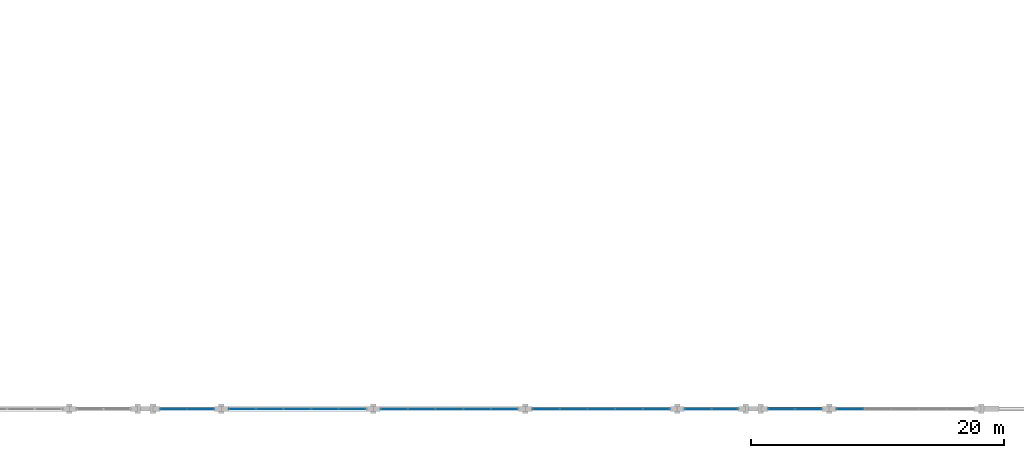
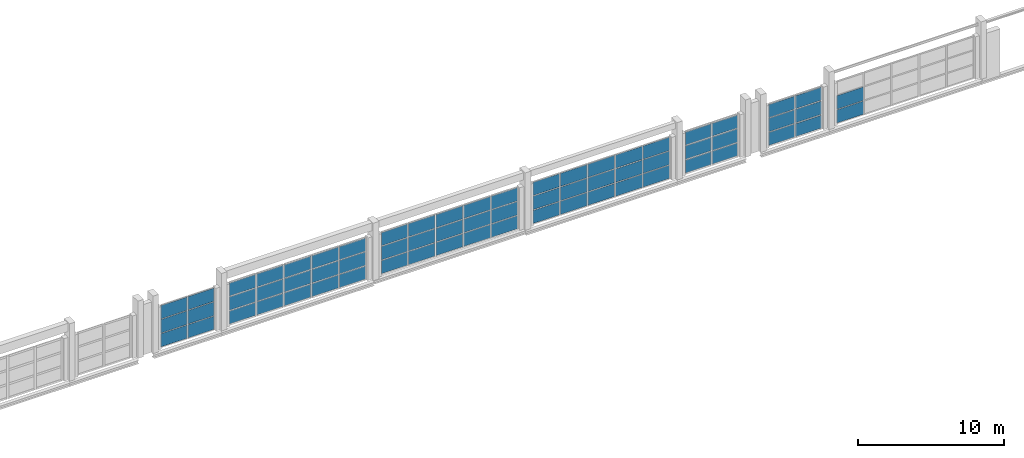
# One storey, part 123 of 147: 65 plates, 7 elements without a shape of their own.
"""IFC4 building model written with IfcOpenShell, lengths in metres."""

import ifcopenshell
import ifcopenshell.guid

model = None  # the IFC model being written
_history = None  # IfcOwnerHistory: only IFC2X3 demands one
_inside = {}  # id of a spatial element -> (the spatial element, [elements in it])
_under = {}  # id of a project, library or spatial element -> (it, [spatial elements below it])
_declared = {}  # id of a project -> (the project, [libraries it declares])
_typed = {}  # id of a type object -> (the type object, [elements of that type])
_made_of = {}  # id of a material, layer set ... -> (it, [elements and type objects made of it])


def new_model(schema):
    """Start an empty IFC model of exactly this schema.

    Asked for "IFC4X3", IfcOpenShell would pick the latest addendum, in which some entities
    have other attributes; the version numbers below select the first issue.
    IFC2X3 requires an IfcOwnerHistory on every rooted entity: one is made here for all.
    """
    global model, _history
    if schema == "IFC4X3":
        model = ifcopenshell.file(schema_version=(4, 3, 0, 0))
    else:
        model = ifcopenshell.file(schema=schema)
    _inside.clear()
    _under.clear()
    _declared.clear()
    _typed.clear()
    _made_of.clear()
    _history = None
    if model.schema == "IFC2X3":
        org = make("IfcOrganization", Name="unknown")
        user = make(
            "IfcPersonAndOrganization",
            ThePerson=make("IfcPerson", FamilyName="unknown"),
            TheOrganization=org,
        )
        app = make(
            "IfcApplication",
            ApplicationDeveloper=org,
            Version="unknown",
            ApplicationFullName="unknown",
            ApplicationIdentifier="unknown",
        )
        _history = make(
            "IfcOwnerHistory",
            OwningUser=user,
            OwningApplication=app,
            ChangeAction="ADDED",
            CreationDate=0,
        )
    return model


def make(cls, **values):
    """One entity of the class cls with the attributes given. An attribute that is None is left unset."""
    return model.create_entity(
        cls, **{name: value for name, value in values.items() if value is not None}
    )


def rooted(cls, **values):
    """An entity with a GlobalId (a new one), such as an element, a storey or a relation."""
    return make(cls, GlobalId=ifcopenshell.guid.new(), OwnerHistory=_history, **values)


def si_unit(unit_type, name, prefix=None):
    """IfcSIUnit, for example si_unit("LENGTHUNIT", "METRE", prefix="MILLI")."""
    return make("IfcSIUnit", UnitType=unit_type, Prefix=prefix, Name=name)


def assignment(units):
    """IfcUnitAssignment: the units of a project."""
    return None if units is None else make("IfcUnitAssignment", Units=units)


def point(xyz):
    """IfcCartesianPoint."""
    return None if xyz is None else make("IfcCartesianPoint", Coordinates=xyz)


def direction(xyz):
    """IfcDirection."""
    return None if xyz is None else make("IfcDirection", DirectionRatios=xyz)


def frame(location, z_axis=None, x_axis=None):
    """IfcAxis2Placement3D, a coordinate frame: its origin and axes. An axis left out is left unset."""
    return make(
        "IfcAxis2Placement3D",
        Location=point(location),
        Axis=direction(z_axis),
        RefDirection=direction(x_axis),
    )


def frame_2d(location, x_axis=None):
    """IfcAxis2Placement2D, a coordinate frame in the plane: its origin and x axis."""
    return make(
        "IfcAxis2Placement2D", Location=point(location), RefDirection=direction(x_axis)
    )


def origin():
    """The frame at (0, 0, 0) with its axes left unset."""
    return frame((0.0, 0.0, 0.0))


def origin_2d():
    """The frame at (0, 0) in the plane with its x axis left unset."""
    return frame_2d((0.0, 0.0))


def place(relative_to, where):
    """IfcLocalPlacement: puts the frame where relative to a parent placement (None: the world)."""
    return make(
        "IfcLocalPlacement", PlacementRelTo=relative_to, RelativePlacement=where
    )


def context(
    kind, dimensions, precision=None, world=None, true_north=None, identifier=None
):
    """IfcGeometricRepresentationContext, for example the 3D "Model" context."""
    return make(
        "IfcGeometricRepresentationContext",
        ContextIdentifier=identifier,
        ContextType=kind,
        CoordinateSpaceDimension=dimensions,
        Precision=precision,
        WorldCoordinateSystem=world,
        TrueNorth=true_north,
    )


def subcontext(parent, identifier, kind, view, scale=None):
    """IfcGeometricRepresentationSubContext, for example "Body" below "Model"."""
    return make(
        "IfcGeometricRepresentationSubContext",
        ContextIdentifier=identifier,
        ContextType=kind,
        ParentContext=parent,
        TargetScale=scale,
        TargetView=view,
    )


def project(units=None, contexts=None):
    """IfcProject with its units and contexts."""
    return rooted(
        "IfcProject",
        Name="project",
        RepresentationContexts=contexts,
        UnitsInContext=assignment(units),
    )


def spatial(cls, under=None, at=None, **own):
    """A site, building, storey or space (cls), placed at a placement, below another one or the project."""
    s = rooted(cls, ObjectPlacement=at, **own)
    if under is not None:
        _under.setdefault(under.id(), (under, []))[1].append(s)
    return s


def profile(cls, at=None, kind="AREA", **sizes):
    """A parametric profile (cls). Its sizes go by their IFC names, for example OverallWidth=200.0."""
    return make(cls, ProfileType=kind, Position=at, **sizes)


def rectangle(**sizes):
    """IfcRectangleProfileDef."""
    return profile("IfcRectangleProfileDef", **sizes)


def extrude(swept, where, along, depth):
    """IfcExtrudedAreaSolid: the profile swept, set in the frame where, extruded along a direction by depth."""
    return make(
        "IfcExtrudedAreaSolid",
        SweptArea=swept,
        Position=where,
        ExtrudedDirection=direction(along),
        Depth=depth,
    )


def shape(context_of_items, identifier, shape_type, items):
    """IfcShapeRepresentation: the items that make up one representation, for example the "Body"."""
    return make(
        "IfcShapeRepresentation",
        ContextOfItems=context_of_items,
        RepresentationIdentifier=identifier,
        RepresentationType=shape_type,
        Items=items,
    )


def material(Name=None, Category=None):
    """IfcMaterial."""
    return make("IfcMaterial", Name=Name, Category=Category)


def layer(
    of_material, thickness, ventilated=None, Name=None, Category=None, Priority=None
):
    """IfcMaterialLayer: one layer of a wall or slab, of a material (None: an air gap)."""
    return make(
        "IfcMaterialLayer",
        Material=of_material,
        LayerThickness=thickness,
        IsVentilated=ventilated,
        Name=Name,
        Category=Category,
        Priority=Priority,
    )


def layer_set(layers, Name=None):
    """IfcMaterialLayerSet."""
    return make("IfcMaterialLayerSet", MaterialLayers=layers, LayerSetName=Name)


def made_of(thing, what):
    """Note that an element or type object is made of a material, layer set ...; save() writes the relation."""
    if what is not None:
        _made_of.setdefault(what.id(), (what, []))[1].append(thing)
    return thing


def type_object(cls, material=None, **own):
    """A type object (cls), such as IfcWallType, which elements share."""
    return made_of(rooted(cls, **own), material)


def element(
    cls,
    number,
    at=None,
    inside=None,
    cuts=None,
    type_object=None,
    material=None,
    context=None,
    identifier="Body",
    shape_type=None,
    held_by="IfcProductDefinitionShape",
    body=None,
    shapes=None,
    **own,
):
    """One element of the class cls, such as IfcWall. Its Tag is "e" and its number.

    at: its placement. inside: the storey or other place that contains it. cuts: it is an
    opening in that element (IfcRelVoidsElement). A single representation is given by context,
    identifier, shape_type and body (its items); several are given by shapes. held_by: the class
    of the entity that holds the representations. save() writes the other relations.
    """
    e = rooted(cls, Tag="e%d" % number, ObjectPlacement=at, **own)
    if body is not None:
        shapes = [shape(context, identifier, shape_type, body)]
    if shapes is not None:
        e.Representation = make(held_by, Representations=shapes)
    if inside is not None:
        _inside.setdefault(inside.id(), (inside, []))[1].append(e)
    if cuts is not None:
        rooted(
            "IfcRelVoidsElement", RelatingBuildingElement=cuts, RelatedOpeningElement=e
        )
    if type_object is not None:
        _typed.setdefault(type_object.id(), (type_object, []))[1].append(e)
    return made_of(e, material)


def aggregate(whole, parts):
    """IfcRelAggregates: a whole, such as a stair, and the parts it consists of."""
    return rooted("IfcRelAggregates", RelatingObject=whole, RelatedObjects=parts)


def save(model, path):
    """Write the relations noted so far, then the file.

    IfcRelAggregates (storeys below a building ...), IfcRelContainedInSpatialStructure (elements
    in a storey), IfcRelDefinesByType, IfcRelAssociatesMaterial and IfcRelDeclares: one each for
    every whole, place, type object, material and project.
    """
    for whole, parts in _under.values():
        aggregate(whole, parts)
    for where, things in _inside.values():
        rooted(
            "IfcRelContainedInSpatialStructure",
            RelatedElements=things,
            RelatingStructure=where,
        )
    for kind, things in _typed.values():
        rooted("IfcRelDefinesByType", RelatedObjects=things, RelatingType=kind)
    for what, things in _made_of.values():
        rooted("IfcRelAssociatesMaterial", RelatedObjects=things, RelatingMaterial=what)
    for by, libraries in _declared.values():
        rooted("IfcRelDeclares", RelatingContext=by, RelatedDefinitions=libraries)
    model.write(path)


model = new_model("IFC4")

# Units and contexts
model_context = context("Model", 3, precision=1e-05, world=origin(), true_north=direction((0.0, 1.0)))
body_context = subcontext(model_context, "Body", "Model", "MODEL_VIEW")
ifc_project = project(units=[si_unit("LENGTHUNIT", "METRE"), si_unit("AREAUNIT", "SQUARE_METRE"), si_unit("VOLUMEUNIT", "CUBIC_METRE"), si_unit("PLANEANGLEUNIT", "RADIAN"), si_unit("MASSUNIT", "GRAM", prefix="KILO")], contexts=[model_context])

# Site, building, storey
site_placement = place(None, origin())
site = spatial("IfcSite", under=ifc_project, at=site_placement, CompositionType="ELEMENT")
building_placement = place(site_placement, origin())
building = spatial("IfcBuilding", under=site, at=building_placement, Name="Zilviju Railside Exhibition Hall", CompositionType="ELEMENT")
storey_placement = place(building_placement, frame((0.0, 0.0, 8.39990234375)))
storey = spatial("IfcBuildingStorey", under=building, at=storey_placement, Name="L03", CompositionType="ELEMENT", Elevation=8.39990234375)

# Curtain wall, plates
ifc_material_1 = material(Name="Thermally broken aluminium-steel triple-glazed curtain wall", Category="steel")
ifc_layer_1 = layer(ifc_material_1, 0.179931640625)
ifc_layer_set_1 = layer_set([ifc_layer_1], Name="Thermally broken aluminium-steel triple-glazed curtain wall")
curtain_wall_type_1 = type_object("IfcCurtainWallType", Name="CW-BAY-19", PredefinedType="USERDEFINED", material=ifc_layer_set_1)
curtain_wall_1_placement = place(storey_placement, origin())
curtain_wall_1 = element("IfcCurtainWall", 1, at=curtain_wall_1_placement, inside=storey, type_object=curtain_wall_type_1, Name="South Hall Facade Curtain Wall L03 (156..168)", ObjectType="GLAZED CURTAIN WALL", PredefinedType="USERDEFINED")
ifc_material_2 = material(Name="Laminated acoustic double-glazed porch unit", Category="glass")
ifc_layer_2 = layer(ifc_material_2, 0.031982421875)
ifc_layer_set_2 = layer_set([ifc_layer_2], Name="Laminated acoustic double-glazed porch unit")
plate_type_1 = type_object("IfcPlateType", Name="CWP-IGU-32", PredefinedType="CURTAIN_PANEL", material=ifc_layer_set_2)
plate_1_placement = place(storey_placement, frame((166.344970703125, 0.0, 0.06005859375), z_axis=(0.0, 0.0, 1.0), x_axis=(-1.0, 0.0, 0.0)))
plate_1 = element("IfcPlate", 2, at=plate_1_placement, type_object=plate_type_1, Name="CW-19 panel 1.1", PredefinedType="CURTAIN_PANEL", context=body_context, shape_type="SweptSolid", body=[
    extrude(rectangle(XDim=2.090087890625, YDim=0.031982421875, at=origin_2d()), origin(), (0.0, 0.0, 1.0), 1.096923828125),
])
plate_2_placement = place(storey_placement, frame((166.344970703125, 0.0, 1.217041015625), z_axis=(0.0, 0.0, 1.0), x_axis=(-1.0, 0.0, 0.0)))
plate_2 = element("IfcPlate", 3, at=plate_2_placement, type_object=plate_type_1, Name="CW-19 panel 1.2", PredefinedType="CURTAIN_PANEL", context=body_context, shape_type="SweptSolid", body=[
    extrude(rectangle(XDim=2.090087890625, YDim=0.031982421875, at=origin_2d()), origin(), (0.0, 0.0, 1.0), 1.1259765625),
])
plate_3_placement = place(storey_placement, frame((166.344970703125, 0.0, 2.4033203125), z_axis=(0.0, 0.0, 1.0), x_axis=(-1.0, 0.0, 0.0)))
plate_3 = element("IfcPlate", 4, at=plate_3_placement, type_object=plate_type_1, Name="CW-19 panel 1.3", PredefinedType="CURTAIN_PANEL", context=body_context, shape_type="SweptSolid", body=[
    extrude(rectangle(XDim=2.090087890625, YDim=0.031982421875, at=origin_2d()), origin(), (0.0, 0.0, 1.0), 1.096923828125),
])
plate_4_placement = place(storey_placement, frame((164.179931640625, 0.0, 0.06005859375), z_axis=(0.0, 0.0, 1.0), x_axis=(-1.0, 0.0, 0.0)))
plate_4 = element("IfcPlate", 5, at=plate_4_placement, type_object=plate_type_1, Name="CW-19 panel 2.1", PredefinedType="CURTAIN_PANEL", context=body_context, shape_type="SweptSolid", body=[
    extrude(rectangle(XDim=2.1201171875, YDim=0.031982421875, at=origin_2d()), origin(), (0.0, 0.0, 1.0), 1.096923828125),
])
plate_5_placement = place(storey_placement, frame((164.179931640625, 0.0, 1.217041015625), z_axis=(0.0, 0.0, 1.0), x_axis=(-1.0, 0.0, 0.0)))
plate_5 = element("IfcPlate", 6, at=plate_5_placement, type_object=plate_type_1, Name="CW-19 panel 2.2", PredefinedType="CURTAIN_PANEL", context=body_context, shape_type="SweptSolid", body=[
    extrude(rectangle(XDim=2.1201171875, YDim=0.031982421875, at=origin_2d()), origin(), (0.0, 0.0, 1.0), 1.1259765625),
])
plate_6_placement = place(storey_placement, frame((164.179931640625, 0.0, 2.4033203125), z_axis=(0.0, 0.0, 1.0), x_axis=(-1.0, 0.0, 0.0)))
plate_6 = element("IfcPlate", 7, at=plate_6_placement, type_object=plate_type_1, Name="CW-19 panel 2.3", PredefinedType="CURTAIN_PANEL", context=body_context, shape_type="SweptSolid", body=[
    extrude(rectangle(XDim=2.1201171875, YDim=0.031982421875, at=origin_2d()), origin(), (0.0, 0.0, 1.0), 1.096923828125),
])
plate_7_placement = place(storey_placement, frame((162.0, 0.0, 0.06005859375), z_axis=(0.0, 0.0, 1.0), x_axis=(-1.0, 0.0, 0.0)))
plate_7 = element("IfcPlate", 8, at=plate_7_placement, type_object=plate_type_1, Name="CW-19 panel 3.1", PredefinedType="CURTAIN_PANEL", context=body_context, shape_type="SweptSolid", body=[
    extrude(rectangle(XDim=2.1201171875, YDim=0.031982421875, at=origin_2d()), origin(), (0.0, 0.0, 1.0), 1.096923828125),
])
plate_8_placement = place(storey_placement, frame((162.0, 0.0, 1.217041015625), z_axis=(0.0, 0.0, 1.0), x_axis=(-1.0, 0.0, 0.0)))
plate_8 = element("IfcPlate", 9, at=plate_8_placement, type_object=plate_type_1, Name="CW-19 panel 3.2", PredefinedType="CURTAIN_PANEL", context=body_context, shape_type="SweptSolid", body=[
    extrude(rectangle(XDim=2.1201171875, YDim=0.031982421875, at=origin_2d()), origin(), (0.0, 0.0, 1.0), 1.1259765625),
])
plate_9_placement = place(storey_placement, frame((162.0, 0.0, 2.4033203125), z_axis=(0.0, 0.0, 1.0), x_axis=(-1.0, 0.0, 0.0)))
plate_9 = element("IfcPlate", 10, at=plate_9_placement, type_object=plate_type_1, Name="CW-19 panel 3.3", PredefinedType="CURTAIN_PANEL", context=body_context, shape_type="SweptSolid", body=[
    extrude(rectangle(XDim=2.1201171875, YDim=0.031982421875, at=origin_2d()), origin(), (0.0, 0.0, 1.0), 1.096923828125),
])
plate_10_placement = place(storey_placement, frame((159.820068359375, 0.0, 0.06005859375), z_axis=(0.0, 0.0, 1.0), x_axis=(-1.0, 0.0, 0.0)))
plate_10 = element("IfcPlate", 11, at=plate_10_placement, type_object=plate_type_1, Name="CW-19 panel 4.1", PredefinedType="CURTAIN_PANEL", context=body_context, shape_type="SweptSolid", body=[
    extrude(rectangle(XDim=2.1201171875, YDim=0.031982421875, at=origin_2d()), origin(), (0.0, 0.0, 1.0), 1.096923828125),
])
plate_11_placement = place(storey_placement, frame((159.820068359375, 0.0, 1.217041015625), z_axis=(0.0, 0.0, 1.0), x_axis=(-1.0, 0.0, 0.0)))
plate_11 = element("IfcPlate", 12, at=plate_11_placement, type_object=plate_type_1, Name="CW-19 panel 4.2", PredefinedType="CURTAIN_PANEL", context=body_context, shape_type="SweptSolid", body=[
    extrude(rectangle(XDim=2.1201171875, YDim=0.031982421875, at=origin_2d()), origin(), (0.0, 0.0, 1.0), 1.1259765625),
])
plate_12_placement = place(storey_placement, frame((159.820068359375, 0.0, 2.4033203125), z_axis=(0.0, 0.0, 1.0), x_axis=(-1.0, 0.0, 0.0)))
plate_12 = element("IfcPlate", 13, at=plate_12_placement, type_object=plate_type_1, Name="CW-19 panel 4.3", PredefinedType="CURTAIN_PANEL", context=body_context, shape_type="SweptSolid", body=[
    extrude(rectangle(XDim=2.1201171875, YDim=0.031982421875, at=origin_2d()), origin(), (0.0, 0.0, 1.0), 1.096923828125),
])
plate_13_placement = place(storey_placement, frame((157.655029296875, 0.0, 0.06005859375), z_axis=(0.0, 0.0, 1.0), x_axis=(-1.0, 0.0, 0.0)))
plate_13 = element("IfcPlate", 14, at=plate_13_placement, type_object=plate_type_1, Name="CW-19 panel 5.1", PredefinedType="CURTAIN_PANEL", context=body_context, shape_type="SweptSolid", body=[
    extrude(rectangle(XDim=2.090087890625, YDim=0.031982421875, at=origin_2d()), origin(), (0.0, 0.0, 1.0), 1.096923828125),
])
plate_14_placement = place(storey_placement, frame((157.655029296875, 0.0, 1.217041015625), z_axis=(0.0, 0.0, 1.0), x_axis=(-1.0, 0.0, 0.0)))
plate_14 = element("IfcPlate", 15, at=plate_14_placement, type_object=plate_type_1, Name="CW-19 panel 5.2", PredefinedType="CURTAIN_PANEL", context=body_context, shape_type="SweptSolid", body=[
    extrude(rectangle(XDim=2.090087890625, YDim=0.031982421875, at=origin_2d()), origin(), (0.0, 0.0, 1.0), 1.1259765625),
])
plate_15_placement = place(storey_placement, frame((157.655029296875, 0.0, 2.4033203125), z_axis=(0.0, 0.0, 1.0), x_axis=(-1.0, 0.0, 0.0)))
plate_15 = element("IfcPlate", 16, at=plate_15_placement, type_object=plate_type_1, Name="CW-19 panel 5.3", PredefinedType="CURTAIN_PANEL", context=body_context, shape_type="SweptSolid", body=[
    extrude(rectangle(XDim=2.090087890625, YDim=0.031982421875, at=origin_2d()), origin(), (0.0, 0.0, 1.0), 1.096923828125),
])
aggregate(curtain_wall_1, [plate_1, plate_2, plate_3, plate_4, plate_5, plate_6, plate_7, plate_8, plate_9, plate_10, plate_11, plate_12, plate_13, plate_14, plate_15])

ifc_layer_3 = layer(ifc_material_1, 0.179931640625)
ifc_layer_set_3 = layer_set([ifc_layer_3], Name="Thermally broken aluminium-steel triple-glazed curtain wall")
curtain_wall_type_2 = type_object("IfcCurtainWallType", Name="CW-BAY-18", PredefinedType="USERDEFINED", material=ifc_layer_set_3)
curtain_wall_2_placement = place(storey_placement, origin())
curtain_wall_2 = element("IfcCurtainWall", 17, at=curtain_wall_2_placement, inside=storey, type_object=curtain_wall_type_2, Name="South Hall Facade Curtain Wall L03 (144..156)", ObjectType="GLAZED CURTAIN WALL", PredefinedType="USERDEFINED")
ifc_material_3 = material(Name="Triple-glazed solar-control glass unit", Category="glass")
ifc_layer_4 = layer(ifc_material_3, 0.0380859375)
ifc_layer_set_4 = layer_set([ifc_layer_4], Name="Triple-glazed solar-control glass unit")
plate_type_2 = type_object("IfcPlateType", Name="CWP-IGU-38", PredefinedType="CURTAIN_PANEL", material=ifc_layer_set_4)
plate_16_placement = place(storey_placement, frame((154.34375, 0.0, 0.06494140625), z_axis=(0.0, 0.0, 1.0), x_axis=(-1.0, 0.0, 0.0)))
plate_16 = element("IfcPlate", 18, at=plate_16_placement, type_object=plate_type_2, Name="CW-18 panel 1.1", PredefinedType="CURTAIN_PANEL", context=body_context, shape_type="SweptSolid", body=[
    extrude(rectangle(XDim=2.08251953125, YDim=0.0380859375, at=origin_2d()), origin(), (0.0, 0.0, 1.0), 1.089599609375),
])
plate_17_placement = place(storey_placement, frame((154.34375, 0.0, 1.219482421875), z_axis=(0.0, 0.0, 1.0), x_axis=(-1.0, 0.0, 0.0)))
plate_17 = element("IfcPlate", 19, at=plate_17_placement, type_object=plate_type_2, Name="CW-18 panel 1.2", PredefinedType="CURTAIN_PANEL", context=body_context, shape_type="SweptSolid", body=[
    extrude(rectangle(XDim=2.08251953125, YDim=0.0380859375, at=origin_2d()), origin(), (0.0, 0.0, 1.0), 1.12109375),
])
plate_18_placement = place(storey_placement, frame((154.34375, 0.0, 2.40576171875), z_axis=(0.0, 0.0, 1.0), x_axis=(-1.0, 0.0, 0.0)))
plate_18 = element("IfcPlate", 20, at=plate_18_placement, type_object=plate_type_2, Name="CW-18 panel 1.3", PredefinedType="CURTAIN_PANEL", context=body_context, shape_type="SweptSolid", body=[
    extrude(rectangle(XDim=2.08251953125, YDim=0.0380859375, at=origin_2d()), origin(), (0.0, 0.0, 1.0), 1.089599609375),
])
plate_19_placement = place(storey_placement, frame((152.179931640625, 0.0, 0.06494140625), z_axis=(0.0, 0.0, 1.0), x_axis=(-1.0, 0.0, 0.0)))
plate_19 = element("IfcPlate", 21, at=plate_19_placement, type_object=plate_type_2, Name="CW-18 panel 2.1", PredefinedType="CURTAIN_PANEL", context=body_context, shape_type="SweptSolid", body=[
    extrude(rectangle(XDim=2.114990234375, YDim=0.0380859375, at=origin_2d()), origin(), (0.0, 0.0, 1.0), 1.089599609375),
])
plate_20_placement = place(storey_placement, frame((152.179931640625, 0.0, 1.219482421875), z_axis=(0.0, 0.0, 1.0), x_axis=(-1.0, 0.0, 0.0)))
plate_20 = element("IfcPlate", 22, at=plate_20_placement, type_object=plate_type_2, Name="CW-18 panel 2.2", PredefinedType="CURTAIN_PANEL", context=body_context, shape_type="SweptSolid", body=[
    extrude(rectangle(XDim=2.114990234375, YDim=0.0380859375, at=origin_2d()), origin(), (0.0, 0.0, 1.0), 1.12109375),
])
plate_21_placement = place(storey_placement, frame((152.179931640625, 0.0, 2.40576171875), z_axis=(0.0, 0.0, 1.0), x_axis=(-1.0, 0.0, 0.0)))
plate_21 = element("IfcPlate", 23, at=plate_21_placement, type_object=plate_type_2, Name="CW-18 panel 2.3", PredefinedType="CURTAIN_PANEL", context=body_context, shape_type="SweptSolid", body=[
    extrude(rectangle(XDim=2.114990234375, YDim=0.0380859375, at=origin_2d()), origin(), (0.0, 0.0, 1.0), 1.089599609375),
])
plate_22_placement = place(storey_placement, frame((150.0, 0.0, 0.06494140625), z_axis=(0.0, 0.0, 1.0), x_axis=(-1.0, 0.0, 0.0)))
plate_22 = element("IfcPlate", 24, at=plate_22_placement, type_object=plate_type_2, Name="CW-18 panel 3.1", PredefinedType="CURTAIN_PANEL", context=body_context, shape_type="SweptSolid", body=[
    extrude(rectangle(XDim=2.114990234375, YDim=0.0380859375, at=origin_2d()), origin(), (0.0, 0.0, 1.0), 1.089599609375),
])
plate_23_placement = place(storey_placement, frame((150.0, 0.0, 1.219482421875), z_axis=(0.0, 0.0, 1.0), x_axis=(-1.0, 0.0, 0.0)))
plate_23 = element("IfcPlate", 25, at=plate_23_placement, type_object=plate_type_2, Name="CW-18 panel 3.2", PredefinedType="CURTAIN_PANEL", context=body_context, shape_type="SweptSolid", body=[
    extrude(rectangle(XDim=2.114990234375, YDim=0.0380859375, at=origin_2d()), origin(), (0.0, 0.0, 1.0), 1.12109375),
])
plate_24_placement = place(storey_placement, frame((150.0, 0.0, 2.40576171875), z_axis=(0.0, 0.0, 1.0), x_axis=(-1.0, 0.0, 0.0)))
plate_24 = element("IfcPlate", 26, at=plate_24_placement, type_object=plate_type_2, Name="CW-18 panel 3.3", PredefinedType="CURTAIN_PANEL", context=body_context, shape_type="SweptSolid", body=[
    extrude(rectangle(XDim=2.114990234375, YDim=0.0380859375, at=origin_2d()), origin(), (0.0, 0.0, 1.0), 1.089599609375),
])
plate_25_placement = place(storey_placement, frame((147.820068359375, 0.0, 0.06494140625), z_axis=(0.0, 0.0, 1.0), x_axis=(-1.0, 0.0, 0.0)))
plate_25 = element("IfcPlate", 27, at=plate_25_placement, type_object=plate_type_2, Name="CW-18 panel 4.1", PredefinedType="CURTAIN_PANEL", context=body_context, shape_type="SweptSolid", body=[
    extrude(rectangle(XDim=2.114990234375, YDim=0.0380859375, at=origin_2d()), origin(), (0.0, 0.0, 1.0), 1.089599609375),
])
plate_26_placement = place(storey_placement, frame((147.820068359375, 0.0, 1.219482421875), z_axis=(0.0, 0.0, 1.0), x_axis=(-1.0, 0.0, 0.0)))
plate_26 = element("IfcPlate", 28, at=plate_26_placement, type_object=plate_type_2, Name="CW-18 panel 4.2", PredefinedType="CURTAIN_PANEL", context=body_context, shape_type="SweptSolid", body=[
    extrude(rectangle(XDim=2.114990234375, YDim=0.0380859375, at=origin_2d()), origin(), (0.0, 0.0, 1.0), 1.12109375),
])
plate_27_placement = place(storey_placement, frame((147.820068359375, 0.0, 2.40576171875), z_axis=(0.0, 0.0, 1.0), x_axis=(-1.0, 0.0, 0.0)))
plate_27 = element("IfcPlate", 29, at=plate_27_placement, type_object=plate_type_2, Name="CW-18 panel 4.3", PredefinedType="CURTAIN_PANEL", context=body_context, shape_type="SweptSolid", body=[
    extrude(rectangle(XDim=2.114990234375, YDim=0.0380859375, at=origin_2d()), origin(), (0.0, 0.0, 1.0), 1.089599609375),
])
plate_28_placement = place(storey_placement, frame((145.65625, 0.0, 0.06494140625), z_axis=(0.0, 0.0, 1.0), x_axis=(-1.0, 0.0, 0.0)))
plate_28 = element("IfcPlate", 30, at=plate_28_placement, type_object=plate_type_2, Name="CW-18 panel 5.1", PredefinedType="CURTAIN_PANEL", context=body_context, shape_type="SweptSolid", body=[
    extrude(rectangle(XDim=2.08251953125, YDim=0.0380859375, at=origin_2d()), origin(), (0.0, 0.0, 1.0), 1.089599609375),
])
plate_29_placement = place(storey_placement, frame((145.65625, 0.0, 1.219482421875), z_axis=(0.0, 0.0, 1.0), x_axis=(-1.0, 0.0, 0.0)))
plate_29 = element("IfcPlate", 31, at=plate_29_placement, type_object=plate_type_2, Name="CW-18 panel 5.2", PredefinedType="CURTAIN_PANEL", context=body_context, shape_type="SweptSolid", body=[
    extrude(rectangle(XDim=2.08251953125, YDim=0.0380859375, at=origin_2d()), origin(), (0.0, 0.0, 1.0), 1.12109375),
])
plate_30_placement = place(storey_placement, frame((145.65625, 0.0, 2.40576171875), z_axis=(0.0, 0.0, 1.0), x_axis=(-1.0, 0.0, 0.0)))
plate_30 = element("IfcPlate", 32, at=plate_30_placement, type_object=plate_type_2, Name="CW-18 panel 5.3", PredefinedType="CURTAIN_PANEL", context=body_context, shape_type="SweptSolid", body=[
    extrude(rectangle(XDim=2.08251953125, YDim=0.0380859375, at=origin_2d()), origin(), (0.0, 0.0, 1.0), 1.089599609375),
])
aggregate(curtain_wall_2, [plate_16, plate_17, plate_18, plate_19, plate_20, plate_21, plate_22, plate_23, plate_24, plate_25, plate_26, plate_27, plate_28, plate_29, plate_30])

ifc_layer_5 = layer(ifc_material_1, 0.179931640625)
ifc_layer_set_5 = layer_set([ifc_layer_5], Name="Thermally broken aluminium-steel triple-glazed curtain wall")
curtain_wall_type_3 = type_object("IfcCurtainWallType", Name="CW-BAY-16", PredefinedType="USERDEFINED", material=ifc_layer_set_5)
curtain_wall_3_placement = place(storey_placement, origin())
curtain_wall_3 = element("IfcCurtainWall", 33, at=curtain_wall_3_placement, inside=storey, type_object=curtain_wall_type_3, Name="South Hall Facade Curtain Wall L03 (127..132)", ObjectType="GLAZED CURTAIN WALL", PredefinedType="USERDEFINED")
ifc_material_4 = material(Name="Triple-glazed low-E argon insulating glass unit", Category="glass")
ifc_layer_6 = layer(ifc_material_4, 0.0439453125)
ifc_layer_set_6 = layer_set([ifc_layer_6], Name="Triple-glazed low-E argon insulating glass unit")
plate_type_3 = type_object("IfcPlateType", Name="CWP-IGU-44", PredefinedType="CURTAIN_PANEL", material=ifc_layer_set_6)
plate_31_placement = place(storey_placement, frame((130.361328125, 0.0, 0.05517578125), z_axis=(0.0, 0.0, 1.0), x_axis=(-1.0, 0.0, 0.0)))
plate_31 = element("IfcPlate", 34, at=plate_31_placement, type_object=plate_type_3, Name="CW-16 panel 1.1", PredefinedType="CURTAIN_PANEL", context=body_context, shape_type="SweptSolid", body=[
    extrude(rectangle(XDim=2.0673828125, YDim=0.0439453125, at=origin_2d()), origin(), (0.0, 0.0, 1.0), 1.1044921875),
])
plate_32_placement = place(storey_placement, frame((130.361328125, 0.0, 1.21435546875), z_axis=(0.0, 0.0, 1.0), x_axis=(-1.0, 0.0, 0.0)))
plate_32 = element("IfcPlate", 35, at=plate_32_placement, type_object=plate_type_3, Name="CW-16 panel 1.2", PredefinedType="CURTAIN_PANEL", context=body_context, shape_type="SweptSolid", body=[
    extrude(rectangle(XDim=2.0673828125, YDim=0.0439453125, at=origin_2d()), origin(), (0.0, 0.0, 1.0), 1.131103515625),
])
plate_33_placement = place(storey_placement, frame((130.361328125, 0.0, 2.400634765625), z_axis=(0.0, 0.0, 1.0), x_axis=(-1.0, 0.0, 0.0)))
plate_33 = element("IfcPlate", 36, at=plate_33_placement, type_object=plate_type_3, Name="CW-16 panel 1.3", PredefinedType="CURTAIN_PANEL", context=body_context, shape_type="SweptSolid", body=[
    extrude(rectangle(XDim=2.0673828125, YDim=0.0439453125, at=origin_2d()), origin(), (0.0, 0.0, 1.0), 1.1044921875),
])
plate_34_placement = place(storey_placement, frame((128.23876953125, 0.0, 0.05517578125), z_axis=(0.0, 0.0, 1.0), x_axis=(-1.0, 0.0, 0.0)))
plate_34 = element("IfcPlate", 37, at=plate_34_placement, type_object=plate_type_3, Name="CW-16 panel 2.1", PredefinedType="CURTAIN_PANEL", context=body_context, shape_type="SweptSolid", body=[
    extrude(rectangle(XDim=2.0673828125, YDim=0.0439453125, at=origin_2d()), origin(), (0.0, 0.0, 1.0), 1.1044921875),
])
plate_35_placement = place(storey_placement, frame((128.23876953125, 0.0, 1.21435546875), z_axis=(0.0, 0.0, 1.0), x_axis=(-1.0, 0.0, 0.0)))
plate_35 = element("IfcPlate", 38, at=plate_35_placement, type_object=plate_type_3, Name="CW-16 panel 2.2", PredefinedType="CURTAIN_PANEL", context=body_context, shape_type="SweptSolid", body=[
    extrude(rectangle(XDim=2.0673828125, YDim=0.0439453125, at=origin_2d()), origin(), (0.0, 0.0, 1.0), 1.131103515625),
])
plate_36_placement = place(storey_placement, frame((128.23876953125, 0.0, 2.400634765625), z_axis=(0.0, 0.0, 1.0), x_axis=(-1.0, 0.0, 0.0)))
plate_36 = element("IfcPlate", 39, at=plate_36_placement, type_object=plate_type_3, Name="CW-16 panel 2.3", PredefinedType="CURTAIN_PANEL", context=body_context, shape_type="SweptSolid", body=[
    extrude(rectangle(XDim=2.0673828125, YDim=0.0439453125, at=origin_2d()), origin(), (0.0, 0.0, 1.0), 1.1044921875),
])
aggregate(curtain_wall_3, [plate_31, plate_32, plate_33, plate_34, plate_35, plate_36])

ifc_layer_7 = layer(ifc_material_1, 0.179931640625)
ifc_layer_set_7 = layer_set([ifc_layer_7], Name="Thermally broken aluminium-steel triple-glazed curtain wall")
curtain_wall_type_4 = type_object("IfcCurtainWallType", Name="CW-BAY-17", PredefinedType="USERDEFINED", material=ifc_layer_set_7)
curtain_wall_4_placement = place(storey_placement, origin())
curtain_wall_4 = element("IfcCurtainWall", 40, at=curtain_wall_4_placement, inside=storey, type_object=curtain_wall_type_4, Name="South Hall Facade Curtain Wall L03 (132..144)", ObjectType="GLAZED CURTAIN WALL", PredefinedType="USERDEFINED")
plate_37_placement = place(storey_placement, frame((142.342529296875, 0.0, 0.070068359375), z_axis=(0.0, 0.0, 1.0), x_axis=(-1.0, 0.0, 0.0)))
plate_37 = element("IfcPlate", 41, at=plate_37_placement, type_object=plate_type_3, Name="CW-17 panel 1.1", PredefinedType="CURTAIN_PANEL", context=body_context, shape_type="SweptSolid", body=[
    extrude(rectangle(XDim=2.074951171875, YDim=0.0439453125, at=origin_2d()), origin(), (0.0, 0.0, 1.0), 1.08203125),
])
plate_38_placement = place(storey_placement, frame((142.342529296875, 0.0, 1.22216796875), z_axis=(0.0, 0.0, 1.0), x_axis=(-1.0, 0.0, 0.0)))
plate_38 = element("IfcPlate", 42, at=plate_38_placement, type_object=plate_type_3, Name="CW-17 panel 1.2", PredefinedType="CURTAIN_PANEL", context=body_context, shape_type="SweptSolid", body=[
    extrude(rectangle(XDim=2.074951171875, YDim=0.0439453125, at=origin_2d()), origin(), (0.0, 0.0, 1.0), 1.115966796875),
])
plate_39_placement = place(storey_placement, frame((142.342529296875, 0.0, 2.408203125), z_axis=(0.0, 0.0, 1.0), x_axis=(-1.0, 0.0, 0.0)))
plate_39 = element("IfcPlate", 43, at=plate_39_placement, type_object=plate_type_3, Name="CW-17 panel 1.3", PredefinedType="CURTAIN_PANEL", context=body_context, shape_type="SweptSolid", body=[
    extrude(rectangle(XDim=2.074951171875, YDim=0.0439453125, at=origin_2d()), origin(), (0.0, 0.0, 1.0), 1.08203125),
])
plate_40_placement = place(storey_placement, frame((140.179931640625, 0.0, 0.070068359375), z_axis=(0.0, 0.0, 1.0), x_axis=(-1.0, 0.0, 0.0)))
plate_40 = element("IfcPlate", 44, at=plate_40_placement, type_object=plate_type_3, Name="CW-17 panel 2.1", PredefinedType="CURTAIN_PANEL", context=body_context, shape_type="SweptSolid", body=[
    extrude(rectangle(XDim=2.110107421875, YDim=0.0439453125, at=origin_2d()), origin(), (0.0, 0.0, 1.0), 1.08203125),
])
plate_41_placement = place(storey_placement, frame((140.179931640625, 0.0, 1.22216796875), z_axis=(0.0, 0.0, 1.0), x_axis=(-1.0, 0.0, 0.0)))
plate_41 = element("IfcPlate", 45, at=plate_41_placement, type_object=plate_type_3, Name="CW-17 panel 2.2", PredefinedType="CURTAIN_PANEL", context=body_context, shape_type="SweptSolid", body=[
    extrude(rectangle(XDim=2.110107421875, YDim=0.0439453125, at=origin_2d()), origin(), (0.0, 0.0, 1.0), 1.115966796875),
])
plate_42_placement = place(storey_placement, frame((140.179931640625, 0.0, 2.408203125), z_axis=(0.0, 0.0, 1.0), x_axis=(-1.0, 0.0, 0.0)))
plate_42 = element("IfcPlate", 46, at=plate_42_placement, type_object=plate_type_3, Name="CW-17 panel 2.3", PredefinedType="CURTAIN_PANEL", context=body_context, shape_type="SweptSolid", body=[
    extrude(rectangle(XDim=2.110107421875, YDim=0.0439453125, at=origin_2d()), origin(), (0.0, 0.0, 1.0), 1.08203125),
])
plate_43_placement = place(storey_placement, frame((138.0, 0.0, 0.070068359375), z_axis=(0.0, 0.0, 1.0), x_axis=(-1.0, 0.0, 0.0)))
plate_43 = element("IfcPlate", 47, at=plate_43_placement, type_object=plate_type_3, Name="CW-17 panel 3.1", PredefinedType="CURTAIN_PANEL", context=body_context, shape_type="SweptSolid", body=[
    extrude(rectangle(XDim=2.110107421875, YDim=0.0439453125, at=origin_2d()), origin(), (0.0, 0.0, 1.0), 1.08203125),
])
plate_44_placement = place(storey_placement, frame((138.0, 0.0, 1.22216796875), z_axis=(0.0, 0.0, 1.0), x_axis=(-1.0, 0.0, 0.0)))
plate_44 = element("IfcPlate", 48, at=plate_44_placement, type_object=plate_type_3, Name="CW-17 panel 3.2", PredefinedType="CURTAIN_PANEL", context=body_context, shape_type="SweptSolid", body=[
    extrude(rectangle(XDim=2.110107421875, YDim=0.0439453125, at=origin_2d()), origin(), (0.0, 0.0, 1.0), 1.115966796875),
])
plate_45_placement = place(storey_placement, frame((138.0, 0.0, 2.408203125), z_axis=(0.0, 0.0, 1.0), x_axis=(-1.0, 0.0, 0.0)))
plate_45 = element("IfcPlate", 49, at=plate_45_placement, type_object=plate_type_3, Name="CW-17 panel 3.3", PredefinedType="CURTAIN_PANEL", context=body_context, shape_type="SweptSolid", body=[
    extrude(rectangle(XDim=2.110107421875, YDim=0.0439453125, at=origin_2d()), origin(), (0.0, 0.0, 1.0), 1.08203125),
])
plate_46_placement = place(storey_placement, frame((135.820068359375, 0.0, 0.070068359375), z_axis=(0.0, 0.0, 1.0), x_axis=(-1.0, 0.0, 0.0)))
plate_46 = element("IfcPlate", 50, at=plate_46_placement, type_object=plate_type_3, Name="CW-17 panel 4.1", PredefinedType="CURTAIN_PANEL", context=body_context, shape_type="SweptSolid", body=[
    extrude(rectangle(XDim=2.110107421875, YDim=0.0439453125, at=origin_2d()), origin(), (0.0, 0.0, 1.0), 1.08203125),
])
plate_47_placement = place(storey_placement, frame((135.820068359375, 0.0, 1.22216796875), z_axis=(0.0, 0.0, 1.0), x_axis=(-1.0, 0.0, 0.0)))
plate_47 = element("IfcPlate", 51, at=plate_47_placement, type_object=plate_type_3, Name="CW-17 panel 4.2", PredefinedType="CURTAIN_PANEL", context=body_context, shape_type="SweptSolid", body=[
    extrude(rectangle(XDim=2.110107421875, YDim=0.0439453125, at=origin_2d()), origin(), (0.0, 0.0, 1.0), 1.115966796875),
])
plate_48_placement = place(storey_placement, frame((135.820068359375, 0.0, 2.408203125), z_axis=(0.0, 0.0, 1.0), x_axis=(-1.0, 0.0, 0.0)))
plate_48 = element("IfcPlate", 52, at=plate_48_placement, type_object=plate_type_3, Name="CW-17 panel 4.3", PredefinedType="CURTAIN_PANEL", context=body_context, shape_type="SweptSolid", body=[
    extrude(rectangle(XDim=2.110107421875, YDim=0.0439453125, at=origin_2d()), origin(), (0.0, 0.0, 1.0), 1.08203125),
])
plate_49_placement = place(storey_placement, frame((133.657470703125, 0.0, 0.070068359375), z_axis=(0.0, 0.0, 1.0), x_axis=(-1.0, 0.0, 0.0)))
plate_49 = element("IfcPlate", 53, at=plate_49_placement, type_object=plate_type_3, Name="CW-17 panel 5.1", PredefinedType="CURTAIN_PANEL", context=body_context, shape_type="SweptSolid", body=[
    extrude(rectangle(XDim=2.074951171875, YDim=0.0439453125, at=origin_2d()), origin(), (0.0, 0.0, 1.0), 1.08203125),
])
plate_50_placement = place(storey_placement, frame((133.657470703125, 0.0, 1.22216796875), z_axis=(0.0, 0.0, 1.0), x_axis=(-1.0, 0.0, 0.0)))
plate_50 = element("IfcPlate", 54, at=plate_50_placement, type_object=plate_type_3, Name="CW-17 panel 5.2", PredefinedType="CURTAIN_PANEL", context=body_context, shape_type="SweptSolid", body=[
    extrude(rectangle(XDim=2.074951171875, YDim=0.0439453125, at=origin_2d()), origin(), (0.0, 0.0, 1.0), 1.115966796875),
])
plate_51_placement = place(storey_placement, frame((133.657470703125, 0.0, 2.408203125), z_axis=(0.0, 0.0, 1.0), x_axis=(-1.0, 0.0, 0.0)))
plate_51 = element("IfcPlate", 55, at=plate_51_placement, type_object=plate_type_3, Name="CW-17 panel 5.3", PredefinedType="CURTAIN_PANEL", context=body_context, shape_type="SweptSolid", body=[
    extrude(rectangle(XDim=2.074951171875, YDim=0.0439453125, at=origin_2d()), origin(), (0.0, 0.0, 1.0), 1.08203125),
])
aggregate(curtain_wall_4, [plate_37, plate_38, plate_39, plate_40, plate_41, plate_42, plate_43, plate_44, plate_45, plate_46, plate_47, plate_48, plate_49, plate_50, plate_51])

ifc_layer_8 = layer(ifc_material_1, 0.179931640625)
ifc_layer_set_8 = layer_set([ifc_layer_8], Name="Thermally broken aluminium-steel triple-glazed curtain wall")
curtain_wall_type_5 = type_object("IfcCurtainWallType", Name="CW-BAY-02", PredefinedType="USERDEFINED", material=ifc_layer_set_8)
curtain_wall_5_placement = place(storey_placement, origin())
curtain_wall_5 = element("IfcCurtainWall", 56, at=curtain_wall_5_placement, inside=storey, type_object=curtain_wall_type_5, Name="South Hall Facade Curtain Wall L03 (180..192)", ObjectType="GLAZED CURTAIN WALL", PredefinedType="USERDEFINED")
plate_52_placement = place(storey_placement, frame((181.65380859375, 0.0, 0.05517578125), z_axis=(0.0, 0.0, 1.0), x_axis=(-1.0, 0.0, 0.0)))
plate_52 = element("IfcPlate", 57, at=plate_52_placement, type_object=plate_type_3, Name="CW-02 panel 5.1", PredefinedType="CURTAIN_PANEL", context=body_context, shape_type="SweptSolid", body=[
    extrude(rectangle(XDim=2.097412109375, YDim=0.0439453125, at=origin_2d()), origin(), (0.0, 0.0, 1.0), 1.1044921875),
])
plate_53_placement = place(storey_placement, frame((181.65380859375, 0.0, 1.21435546875), z_axis=(0.0, 0.0, 1.0), x_axis=(-1.0, 0.0, 0.0)))
plate_53 = element("IfcPlate", 58, at=plate_53_placement, type_object=plate_type_3, Name="CW-02 panel 5.2", PredefinedType="CURTAIN_PANEL", context=body_context, shape_type="SweptSolid", body=[
    extrude(rectangle(XDim=2.097412109375, YDim=0.0439453125, at=origin_2d()), origin(), (0.0, 0.0, 1.0), 1.131103515625),
])
aggregate(curtain_wall_5, [plate_52, plate_53])

ifc_layer_9 = layer(ifc_material_1, 0.179931640625)
ifc_layer_set_9 = layer_set([ifc_layer_9], Name="Thermally broken aluminium-steel triple-glazed curtain wall")
curtain_wall_type_6 = type_object("IfcCurtainWallType", Name="CW-BAY-20", PredefinedType="USERDEFINED", material=ifc_layer_set_9)
curtain_wall_6_placement = place(storey_placement, origin())
curtain_wall_6 = element("IfcCurtainWall", 59, at=curtain_wall_6_placement, inside=storey, type_object=curtain_wall_type_6, Name="South Hall Facade Curtain Wall L03 (168..173)", ObjectType="GLAZED CURTAIN WALL", PredefinedType="USERDEFINED")
ifc_material_5 = material(Name="Insulated cobalt-blue enamelled spandrel glass panel", Category="glass")
ifc_layer_10 = layer(ifc_material_5, 0.052001953125)
ifc_layer_set_10 = layer_set([ifc_layer_10], Name="Insulated cobalt-blue enamelled spandrel glass panel")
plate_type_4 = type_object("IfcPlateType", Name="CWP-SPD-52", PredefinedType="CURTAIN_PANEL", material=ifc_layer_set_10)
plate_54_placement = place(storey_placement, frame((171.7548828125, 0.0, 0.080078125), z_axis=(0.0, 0.0, 1.0), x_axis=(-1.0, 0.0, 0.0)))
plate_54 = element("IfcPlate", 60, at=plate_54_placement, type_object=plate_type_4, Name="CW-20 panel 1.1", PredefinedType="CURTAIN_PANEL", context=body_context, shape_type="SweptSolid", body=[
    extrude(rectangle(XDim=2.030029296875, YDim=0.052001953125, at=origin_2d()), origin(), (0.0, 0.0, 1.0), 1.06689453125),
])
plate_55_placement = place(storey_placement, frame((171.7548828125, 0.0, 1.22705078125), z_axis=(0.0, 0.0, 1.0), x_axis=(-1.0, 0.0, 0.0)))
plate_55 = element("IfcPlate", 61, at=plate_55_placement, type_object=plate_type_4, Name="CW-20 panel 1.2", PredefinedType="CURTAIN_PANEL", context=body_context, shape_type="SweptSolid", body=[
    extrude(rectangle(XDim=2.030029296875, YDim=0.052001953125, at=origin_2d()), origin(), (0.0, 0.0, 1.0), 1.10595703125),
])
plate_56_placement = place(storey_placement, frame((171.7548828125, 0.0, 2.4130859375), z_axis=(0.0, 0.0, 1.0), x_axis=(-1.0, 0.0, 0.0)))
plate_56 = element("IfcPlate", 62, at=plate_56_placement, type_object=plate_type_4, Name="CW-20 panel 1.3", PredefinedType="CURTAIN_PANEL", context=body_context, shape_type="SweptSolid", body=[
    extrude(rectangle(XDim=2.030029296875, YDim=0.052001953125, at=origin_2d()), origin(), (0.0, 0.0, 1.0), 1.06689453125),
])
plate_57_placement = place(storey_placement, frame((169.64501953125, 0.0, 0.080078125), z_axis=(0.0, 0.0, 1.0), x_axis=(-1.0, 0.0, 0.0)))
plate_57 = element("IfcPlate", 63, at=plate_57_placement, type_object=plate_type_4, Name="CW-20 panel 2.1", PredefinedType="CURTAIN_PANEL", context=body_context, shape_type="SweptSolid", body=[
    extrude(rectangle(XDim=2.030029296875, YDim=0.052001953125, at=origin_2d()), origin(), (0.0, 0.0, 1.0), 1.06689453125),
])
plate_58_placement = place(storey_placement, frame((169.64501953125, 0.0, 1.22705078125), z_axis=(0.0, 0.0, 1.0), x_axis=(-1.0, 0.0, 0.0)))
plate_58 = element("IfcPlate", 64, at=plate_58_placement, type_object=plate_type_4, Name="CW-20 panel 2.2", PredefinedType="CURTAIN_PANEL", context=body_context, shape_type="SweptSolid", body=[
    extrude(rectangle(XDim=2.030029296875, YDim=0.052001953125, at=origin_2d()), origin(), (0.0, 0.0, 1.0), 1.10595703125),
])
plate_59_placement = place(storey_placement, frame((169.64501953125, 0.0, 2.4130859375), z_axis=(0.0, 0.0, 1.0), x_axis=(-1.0, 0.0, 0.0)))
plate_59 = element("IfcPlate", 65, at=plate_59_placement, type_object=plate_type_4, Name="CW-20 panel 2.3", PredefinedType="CURTAIN_PANEL", context=body_context, shape_type="SweptSolid", body=[
    extrude(rectangle(XDim=2.030029296875, YDim=0.052001953125, at=origin_2d()), origin(), (0.0, 0.0, 1.0), 1.06689453125),
])
aggregate(curtain_wall_6, [plate_54, plate_55, plate_56, plate_57, plate_58, plate_59])

ifc_layer_11 = layer(ifc_material_1, 0.179931640625)
ifc_layer_set_11 = layer_set([ifc_layer_11], Name="Thermally broken aluminium-steel triple-glazed curtain wall")
curtain_wall_type_7 = type_object("IfcCurtainWallType", Name="CW-BAY-01", PredefinedType="USERDEFINED", material=ifc_layer_set_11)
curtain_wall_7_placement = place(storey_placement, origin())
curtain_wall_7 = element("IfcCurtainWall", 66, at=curtain_wall_7_placement, inside=storey, type_object=curtain_wall_type_7, Name="South Hall Facade Curtain Wall L03 (175..180)", ObjectType="GLAZED CURTAIN WALL", PredefinedType="USERDEFINED")
ifc_material_6 = material(Name="Insulated emerald ceramic-frit spandrel panel", Category="glass")
ifc_layer_12 = layer(ifc_material_6, 0.06396484375)
ifc_layer_set_12 = layer_set([ifc_layer_12], Name="Insulated emerald ceramic-frit spandrel panel")
plate_type_5 = type_object("IfcPlateType", Name="CWP-SPD-64", PredefinedType="CURTAIN_PANEL", material=ifc_layer_set_12)
plate_60_placement = place(storey_placement, frame((178.356201171875, 0.0, 0.0751953125), z_axis=(0.0, 0.0, 1.0), x_axis=(-1.0, 0.0, 0.0)))
plate_60 = element("IfcPlate", 67, at=plate_60_placement, type_object=plate_type_5, Name="CW-01 panel 1.1", PredefinedType="CURTAIN_PANEL", context=body_context, shape_type="SweptSolid", body=[
    extrude(rectangle(XDim=2.03759765625, YDim=0.06396484375, at=origin_2d()), origin(), (0.0, 0.0, 1.0), 1.074462890625),
])
plate_61_placement = place(storey_placement, frame((178.356201171875, 0.0, 1.224609375), z_axis=(0.0, 0.0, 1.0), x_axis=(-1.0, 0.0, 0.0)))
plate_61 = element("IfcPlate", 68, at=plate_61_placement, type_object=plate_type_5, Name="CW-01 panel 1.2", PredefinedType="CURTAIN_PANEL", context=body_context, shape_type="SweptSolid", body=[
    extrude(rectangle(XDim=2.03759765625, YDim=0.06396484375, at=origin_2d()), origin(), (0.0, 0.0, 1.0), 1.111083984375),
])
plate_62_placement = place(storey_placement, frame((178.356201171875, 0.0, 2.41064453125), z_axis=(0.0, 0.0, 1.0), x_axis=(-1.0, 0.0, 0.0)))
plate_62 = element("IfcPlate", 69, at=plate_62_placement, type_object=plate_type_5, Name="CW-01 panel 1.3", PredefinedType="CURTAIN_PANEL", context=body_context, shape_type="SweptSolid", body=[
    extrude(rectangle(XDim=2.03759765625, YDim=0.06396484375, at=origin_2d()), origin(), (0.0, 0.0, 1.0), 1.074462890625),
])
plate_63_placement = place(storey_placement, frame((176.24365234375, 0.0, 0.0751953125), z_axis=(0.0, 0.0, 1.0), x_axis=(-1.0, 0.0, 0.0)))
plate_63 = element("IfcPlate", 70, at=plate_63_placement, type_object=plate_type_5, Name="CW-01 panel 2.1", PredefinedType="CURTAIN_PANEL", context=body_context, shape_type="SweptSolid", body=[
    extrude(rectangle(XDim=2.03759765625, YDim=0.06396484375, at=origin_2d()), origin(), (0.0, 0.0, 1.0), 1.074462890625),
])
plate_64_placement = place(storey_placement, frame((176.24365234375, 0.0, 1.224609375), z_axis=(0.0, 0.0, 1.0), x_axis=(-1.0, 0.0, 0.0)))
plate_64 = element("IfcPlate", 71, at=plate_64_placement, type_object=plate_type_5, Name="CW-01 panel 2.2", PredefinedType="CURTAIN_PANEL", context=body_context, shape_type="SweptSolid", body=[
    extrude(rectangle(XDim=2.03759765625, YDim=0.06396484375, at=origin_2d()), origin(), (0.0, 0.0, 1.0), 1.111083984375),
])
plate_65_placement = place(storey_placement, frame((176.24365234375, 0.0, 2.41064453125), z_axis=(0.0, 0.0, 1.0), x_axis=(-1.0, 0.0, 0.0)))
plate_65 = element("IfcPlate", 72, at=plate_65_placement, type_object=plate_type_5, Name="CW-01 panel 2.3", PredefinedType="CURTAIN_PANEL", context=body_context, shape_type="SweptSolid", body=[
    extrude(rectangle(XDim=2.03759765625, YDim=0.06396484375, at=origin_2d()), origin(), (0.0, 0.0, 1.0), 1.074462890625),
])
aggregate(curtain_wall_7, [plate_60, plate_61, plate_62, plate_63, plate_64, plate_65])

save(model, "model.ifc")
